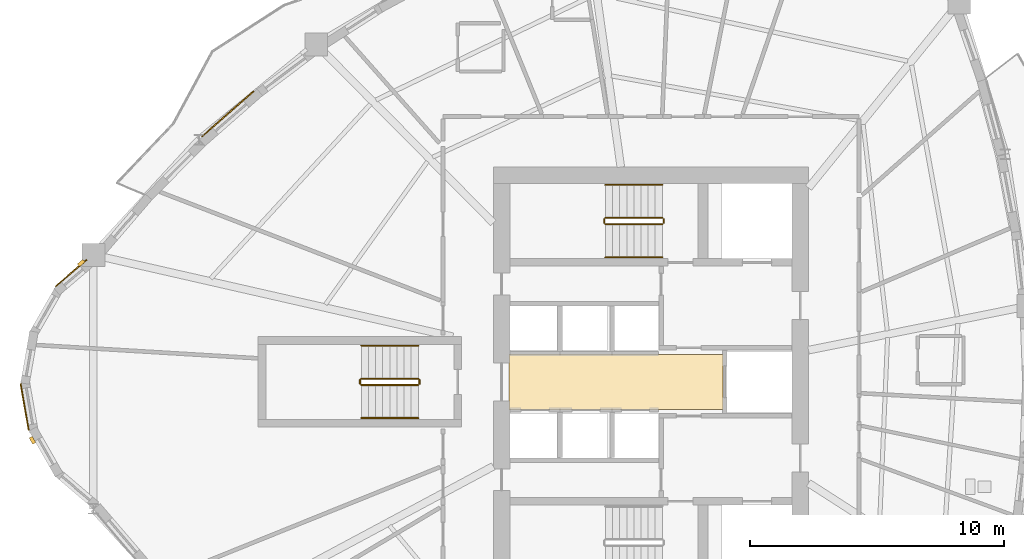
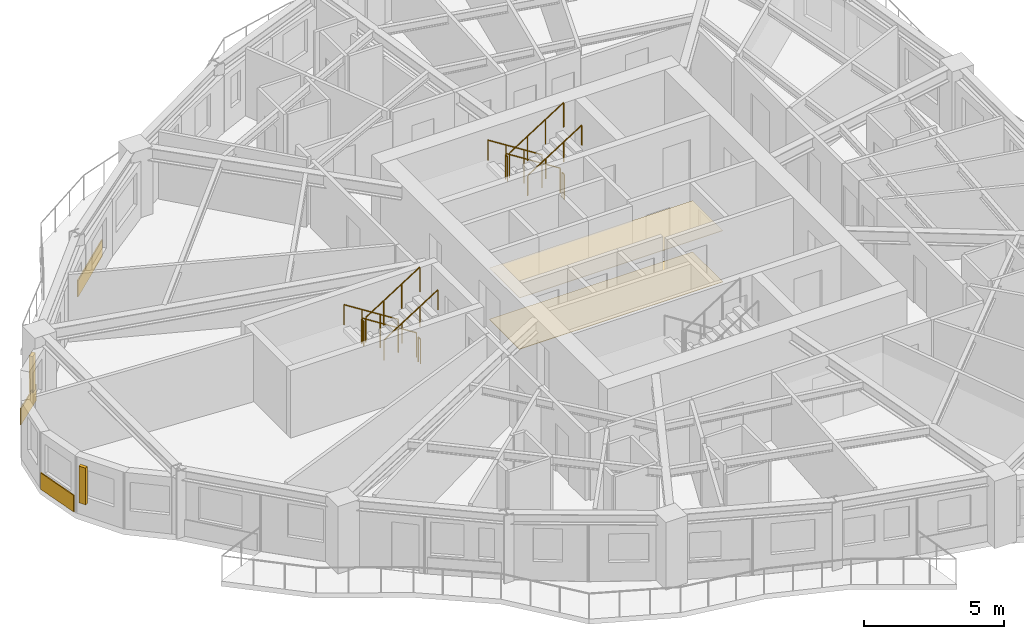
# One storey, part 11 of 13: 12 railings, 5 coverings, 2 shading devices.
"""IFC4 building model written with IfcOpenShell, lengths in metres."""

import ifcopenshell
import ifcopenshell.guid

model = None  # the IFC model being written
_history = None  # IfcOwnerHistory: only IFC2X3 demands one
_inside = {}  # id of a spatial element -> (the spatial element, [elements in it])
_under = {}  # id of a project, library or spatial element -> (it, [spatial elements below it])
_declared = {}  # id of a project -> (the project, [libraries it declares])
_typed = {}  # id of a type object -> (the type object, [elements of that type])
_made_of = {}  # id of a material, layer set ... -> (it, [elements and type objects made of it])


def new_model(schema):
    """Start an empty IFC model of exactly this schema.

    Asked for "IFC4X3", IfcOpenShell would pick the latest addendum, in which some entities
    have other attributes; the version numbers below select the first issue.
    IFC2X3 requires an IfcOwnerHistory on every rooted entity: one is made here for all.
    """
    global model, _history
    if schema == "IFC4X3":
        model = ifcopenshell.file(schema_version=(4, 3, 0, 0))
    else:
        model = ifcopenshell.file(schema=schema)
    _inside.clear()
    _under.clear()
    _declared.clear()
    _typed.clear()
    _made_of.clear()
    _history = None
    if model.schema == "IFC2X3":
        org = make("IfcOrganization", Name="unknown")
        user = make(
            "IfcPersonAndOrganization",
            ThePerson=make("IfcPerson", FamilyName="unknown"),
            TheOrganization=org,
        )
        app = make(
            "IfcApplication",
            ApplicationDeveloper=org,
            Version="unknown",
            ApplicationFullName="unknown",
            ApplicationIdentifier="unknown",
        )
        _history = make(
            "IfcOwnerHistory",
            OwningUser=user,
            OwningApplication=app,
            ChangeAction="ADDED",
            CreationDate=0,
        )
    return model


def make(cls, **values):
    """One entity of the class cls with the attributes given. An attribute that is None is left unset."""
    return model.create_entity(
        cls, **{name: value for name, value in values.items() if value is not None}
    )


def rooted(cls, **values):
    """An entity with a GlobalId (a new one), such as an element, a storey or a relation."""
    return make(cls, GlobalId=ifcopenshell.guid.new(), OwnerHistory=_history, **values)


def si_unit(unit_type, name, prefix=None):
    """IfcSIUnit, for example si_unit("LENGTHUNIT", "METRE", prefix="MILLI")."""
    return make("IfcSIUnit", UnitType=unit_type, Prefix=prefix, Name=name)


def assignment(units):
    """IfcUnitAssignment: the units of a project."""
    return None if units is None else make("IfcUnitAssignment", Units=units)


def point(xyz):
    """IfcCartesianPoint."""
    return None if xyz is None else make("IfcCartesianPoint", Coordinates=xyz)


def direction(xyz):
    """IfcDirection."""
    return None if xyz is None else make("IfcDirection", DirectionRatios=xyz)


def frame(location, z_axis=None, x_axis=None):
    """IfcAxis2Placement3D, a coordinate frame: its origin and axes. An axis left out is left unset."""
    return make(
        "IfcAxis2Placement3D",
        Location=point(location),
        Axis=direction(z_axis),
        RefDirection=direction(x_axis),
    )


def frame_2d(location, x_axis=None):
    """IfcAxis2Placement2D, a coordinate frame in the plane: its origin and x axis."""
    return make(
        "IfcAxis2Placement2D", Location=point(location), RefDirection=direction(x_axis)
    )


def origin():
    """The frame at (0, 0, 0) with its axes left unset."""
    return frame((0.0, 0.0, 0.0))


def origin_2d():
    """The frame at (0, 0) in the plane with its x axis left unset."""
    return frame_2d((0.0, 0.0))


def place(relative_to, where):
    """IfcLocalPlacement: puts the frame where relative to a parent placement (None: the world)."""
    return make(
        "IfcLocalPlacement", PlacementRelTo=relative_to, RelativePlacement=where
    )


def context(
    kind, dimensions, precision=None, world=None, true_north=None, identifier=None
):
    """IfcGeometricRepresentationContext, for example the 3D "Model" context."""
    return make(
        "IfcGeometricRepresentationContext",
        ContextIdentifier=identifier,
        ContextType=kind,
        CoordinateSpaceDimension=dimensions,
        Precision=precision,
        WorldCoordinateSystem=world,
        TrueNorth=true_north,
    )


def subcontext(parent, identifier, kind, view, scale=None):
    """IfcGeometricRepresentationSubContext, for example "Body" below "Model"."""
    return make(
        "IfcGeometricRepresentationSubContext",
        ContextIdentifier=identifier,
        ContextType=kind,
        ParentContext=parent,
        TargetScale=scale,
        TargetView=view,
    )


def project(units=None, contexts=None):
    """IfcProject with its units and contexts."""
    return rooted(
        "IfcProject",
        Name="project",
        RepresentationContexts=contexts,
        UnitsInContext=assignment(units),
    )


def spatial(cls, under=None, at=None, **own):
    """A site, building, storey or space (cls), placed at a placement, below another one or the project."""
    s = rooted(cls, ObjectPlacement=at, **own)
    if under is not None:
        _under.setdefault(under.id(), (under, []))[1].append(s)
    return s


def polyline(points):
    """IfcPolyline through the points."""
    return make("IfcPolyline", Points=[point(p) for p in points])


def profile(cls, at=None, kind="AREA", **sizes):
    """A parametric profile (cls). Its sizes go by their IFC names, for example OverallWidth=200.0."""
    return make(cls, ProfileType=kind, Position=at, **sizes)


def rectangle(**sizes):
    """IfcRectangleProfileDef."""
    return profile("IfcRectangleProfileDef", **sizes)


def circle(**sizes):
    """IfcCircleProfileDef."""
    return profile("IfcCircleProfileDef", **sizes)


def outline(outer, holes=None, kind="AREA"):
    """IfcArbitraryClosedProfileDef: a profile drawn as a closed curve; with holes, ...WithVoids."""
    if holes is None:
        return make("IfcArbitraryClosedProfileDef", ProfileType=kind, OuterCurve=outer)
    return make(
        "IfcArbitraryProfileDefWithVoids",
        ProfileType=kind,
        OuterCurve=outer,
        InnerCurves=holes,
    )


def extrude(swept, where, along, depth):
    """IfcExtrudedAreaSolid: the profile swept, set in the frame where, extruded along a direction by depth."""
    return make(
        "IfcExtrudedAreaSolid",
        SweptArea=swept,
        Position=where,
        ExtrudedDirection=direction(along),
        Depth=depth,
    )


def shape(context_of_items, identifier, shape_type, items):
    """IfcShapeRepresentation: the items that make up one representation, for example the "Body"."""
    return make(
        "IfcShapeRepresentation",
        ContextOfItems=context_of_items,
        RepresentationIdentifier=identifier,
        RepresentationType=shape_type,
        Items=items,
    )


def source(mapping_origin, context_of_items, identifier, shape_type, items):
    """IfcRepresentationMap: a shape defined once, which mapped items show again and again."""
    return make(
        "IfcRepresentationMap",
        MappingOrigin=mapping_origin,
        MappedRepresentation=shape(context_of_items, identifier, shape_type, items),
    )


def transform(
    local_origin,
    x_axis=None,
    y_axis=None,
    z_axis=None,
    scale=None,
    scale2=None,
    scale3=None,
    uniform=True,
):
    """IfcCartesianTransformationOperator3D, or its non-uniform kind. x_axis, y_axis, z_axis: its Axis1, 2, 3."""
    if uniform:
        return make(
            "IfcCartesianTransformationOperator3D",
            Axis1=direction(x_axis),
            Axis2=direction(y_axis),
            LocalOrigin=point(local_origin),
            Scale=scale,
            Axis3=direction(z_axis),
        )
    return make(
        "IfcCartesianTransformationOperator3DnonUniform",
        Axis1=direction(x_axis),
        Axis2=direction(y_axis),
        LocalOrigin=point(local_origin),
        Scale=scale,
        Axis3=direction(z_axis),
        Scale2=scale2,
        Scale3=scale3,
    )


def mapped(mapping_source, mapping_target):
    """IfcMappedItem: shows the shape of a source again, moved by a transform."""
    return make(
        "IfcMappedItem", MappingSource=mapping_source, MappingTarget=mapping_target
    )


def material(Name=None, Category=None):
    """IfcMaterial."""
    return make("IfcMaterial", Name=Name, Category=Category)


def layer(
    of_material, thickness, ventilated=None, Name=None, Category=None, Priority=None
):
    """IfcMaterialLayer: one layer of a wall or slab, of a material (None: an air gap)."""
    return make(
        "IfcMaterialLayer",
        Material=of_material,
        LayerThickness=thickness,
        IsVentilated=ventilated,
        Name=Name,
        Category=Category,
        Priority=Priority,
    )


def layer_set(layers, Name=None):
    """IfcMaterialLayerSet."""
    return make("IfcMaterialLayerSet", MaterialLayers=layers, LayerSetName=Name)


def made_of(thing, what):
    """Note that an element or type object is made of a material, layer set ...; save() writes the relation."""
    if what is not None:
        _made_of.setdefault(what.id(), (what, []))[1].append(thing)
    return thing


def type_object(cls, material=None, **own):
    """A type object (cls), such as IfcWallType, which elements share."""
    return made_of(rooted(cls, **own), material)


def element(
    cls,
    number,
    at=None,
    inside=None,
    cuts=None,
    type_object=None,
    material=None,
    context=None,
    identifier="Body",
    shape_type=None,
    held_by="IfcProductDefinitionShape",
    body=None,
    shapes=None,
    **own,
):
    """One element of the class cls, such as IfcWall. Its Tag is "e" and its number.

    at: its placement. inside: the storey or other place that contains it. cuts: it is an
    opening in that element (IfcRelVoidsElement). A single representation is given by context,
    identifier, shape_type and body (its items); several are given by shapes. held_by: the class
    of the entity that holds the representations. save() writes the other relations.
    """
    e = rooted(cls, Tag="e%d" % number, ObjectPlacement=at, **own)
    if body is not None:
        shapes = [shape(context, identifier, shape_type, body)]
    if shapes is not None:
        e.Representation = make(held_by, Representations=shapes)
    if inside is not None:
        _inside.setdefault(inside.id(), (inside, []))[1].append(e)
    if cuts is not None:
        rooted(
            "IfcRelVoidsElement", RelatingBuildingElement=cuts, RelatedOpeningElement=e
        )
    if type_object is not None:
        _typed.setdefault(type_object.id(), (type_object, []))[1].append(e)
    return made_of(e, material)


def aggregate(whole, parts):
    """IfcRelAggregates: a whole, such as a stair, and the parts it consists of."""
    return rooted("IfcRelAggregates", RelatingObject=whole, RelatedObjects=parts)


def save(model, path):
    """Write the relations noted so far, then the file.

    IfcRelAggregates (storeys below a building ...), IfcRelContainedInSpatialStructure (elements
    in a storey), IfcRelDefinesByType, IfcRelAssociatesMaterial and IfcRelDeclares: one each for
    every whole, place, type object, material and project.
    """
    for whole, parts in _under.values():
        aggregate(whole, parts)
    for where, things in _inside.values():
        rooted(
            "IfcRelContainedInSpatialStructure",
            RelatedElements=things,
            RelatingStructure=where,
        )
    for kind, things in _typed.values():
        rooted("IfcRelDefinesByType", RelatedObjects=things, RelatingType=kind)
    for what, things in _made_of.values():
        rooted("IfcRelAssociatesMaterial", RelatedObjects=things, RelatingMaterial=what)
    for by, libraries in _declared.values():
        rooted("IfcRelDeclares", RelatingContext=by, RelatedDefinitions=libraries)
    model.write(path)


model = new_model("IFC4")

# Units and contexts
model_context = context("Model", 3, precision=1e-05, world=origin(), true_north=direction((0.0, 1.0)))
body_context = subcontext(model_context, "Body", "Model", "MODEL_VIEW")
ifc_project = project(units=[si_unit("LENGTHUNIT", "METRE"), si_unit("AREAUNIT", "SQUARE_METRE"), si_unit("VOLUMEUNIT", "CUBIC_METRE"), si_unit("PLANEANGLEUNIT", "RADIAN"), si_unit("MASSUNIT", "GRAM", prefix="KILO")], contexts=[model_context])

# Site, building, storey
site_placement = place(None, origin())
site = spatial("IfcSite", under=ifc_project, at=site_placement, CompositionType="ELEMENT")
building_placement = place(site_placement, origin())
building = spatial("IfcBuilding", under=site, at=building_placement, Name="Qafzar Sky-Pleat Residences", CompositionType="ELEMENT")
storey_placement = place(building_placement, frame((0.0, 0.0, 99.199951171875)))
storey = spatial("IfcBuildingStorey", under=building, at=storey_placement, Name="L29", CompositionType="ELEMENT", Elevation=99.199951171875)

# Coverings
ifc_material_1 = material(Name="Perforated acoustic gypsum board ceiling")
ifc_layer_1 = layer(ifc_material_1, 0.02001953125)
ifc_layer_set_1 = layer_set([ifc_layer_1], Name="Perforated acoustic gypsum board ceiling")
covering_type_1 = type_object("IfcCoveringType", Name="COV-CEIL-ACOUSTIC", PredefinedType="CEILING", material=ifc_layer_set_1)
covering_1_placement = place(storey_placement, frame((0.0, 0.0, 2.239990234375)))
element("IfcCovering", 1, at=covering_1_placement, inside=storey, type_object=covering_type_1, Name="L29 Passenger Lift Lobby Acoustic Ceiling", PredefinedType="CEILING", context=body_context, shape_type="SweptSolid", body=[
    extrude(outline(polyline([(33.179931640625, 24.919921875), (24.77001953125, 24.919921875), (24.77001953125, 27.080078125), (33.179931640625, 27.080078125), (33.179931640625, 24.919921875)])), origin(), (0.0, 0.0, 1.0), 0.02001953125),
])
ifc_material_2 = material(Name="Honed porcelain and Riyadh stone tile flooring", Category="masonry")
ifc_layer_2 = layer(ifc_material_2, 0.02001953125)
ifc_layer_set_2 = layer_set([ifc_layer_2], Name="Honed porcelain and Riyadh stone tile flooring")
covering_type_2 = type_object("IfcCoveringType", Name="COV-FLR-PORCELAIN", PredefinedType="FLOORING", material=ifc_layer_set_2)
covering_2_placement = place(storey_placement, origin())
element("IfcCovering", 2, at=covering_2_placement, inside=storey, type_object=covering_type_2, Name="L29 Passenger Lift Lobby Honed Stone Flooring", PredefinedType="FLOORING", context=body_context, shape_type="SweptSolid", body=[
    extrude(outline(polyline([(33.179931640625, 24.919921875), (24.77001953125, 24.919921875), (24.77001953125, 27.080078125), (33.179931640625, 27.080078125), (33.179931640625, 24.919921875)])), origin(), (0.0, 0.0, 1.0), 0.02001953125),
])

# Shading devices
ifc_material_3 = material(Name="Honed Riyadh limestone solar fin", Category="masonry")
ifc_layer_3 = layer(ifc_material_3, 0.139892578125)
ifc_layer_set_3 = layer_set([ifc_layer_3], Name="Honed Riyadh limestone solar fin")
shading_device_type = type_object("IfcShadingDeviceType", Name="SHD-FIN-STONE", PredefinedType="SHUTTER", material=ifc_layer_set_3)
shared_shape_1 = source(origin(), body_context, "Body", "SweptSolid", [
    extrude(rectangle(XDim=0.139892578125, YDim=0.280029296875, at=origin_2d()), origin(), (0.0, 0.0, 1.0), 1.60009765625),
])
for number, where, z_axis, x_axis, name in (
    (3, (7.941650390625, 30.67431640625, 0.60009765625), (0.0, 0.0, 1.0), (-0.648602943999, 0.761126941473, 0.0), "L29 Limestone Solar Fin 1"),
    (4, (6.02294921875, 23.702392578125, 0.60009765625), (0.0, 0.0, 1.0), (-0.868298604268, -0.49604186701, 0.0), "L29 Limestone Solar Fin 5"),
):
    element("IfcShadingDevice", number, at=place(storey_placement, frame(where, z_axis=z_axis, x_axis=x_axis)), inside=storey, type_object=shading_device_type, Name=name, PredefinedType="SHUTTER", context=body_context, shape_type="MappedRepresentation", body=[
        mapped(shared_shape_1, transform((0.0, 0.0, 0.0), x_axis=(1.0, 0.0, 0.0), y_axis=(0.0, 1.0, 0.0), z_axis=(0.0, 0.0, 1.0), scale=1.0)),
    ])

# Coverings
ifc_material_4 = material(Name="Honed Riyadh Tuwaiq limestone cladding", Category="masonry")
ifc_layer_4 = layer(ifc_material_4, 0.044921875)
ifc_layer_set_4 = layer_set([ifc_layer_4], Name="Honed Riyadh Tuwaiq limestone cladding")
covering_type_3 = type_object("IfcCoveringType", Name="COV-CLAD-STONE", PredefinedType="CLADDING", material=ifc_layer_set_4)
shared_shape_2 = source(origin(), body_context, "Body", "SweptSolid", [
    extrude(rectangle(XDim=1.62451171875, YDim=0.044921875, at=origin_2d()), origin(), (0.0, 0.0, 1.0), 0.719970703125),
])
covering_3_placement = place(storey_placement, frame((7.543212890625, 30.278564453125, 0.02001953125), z_axis=(0.0, 0.0, 1.0), x_axis=(-0.761154082005, -0.648571093595, 0.0)))
element("IfcCovering", 5, at=covering_3_placement, inside=storey, type_object=covering_type_3, Name="L29 Riyadh Limestone Spandrel Cladding 1", PredefinedType="CLADDING", context=body_context, shape_type="MappedRepresentation", body=[
    mapped(shared_shape_2, transform((0.0, 0.0, 0.0), x_axis=(1.0, 0.0, 0.0), y_axis=(0.0, 1.0, 0.0), z_axis=(0.0, 0.0, 1.0), scale=1.0)),
])
shared_shape_3 = source(origin(), body_context, "Body", "SweptSolid", [
    extrude(rectangle(XDim=1.865478515625, YDim=0.044921875, at=origin_2d()), origin(), (0.0, 0.0, 1.0), 0.719970703125),
])
covering_4_placement = place(storey_placement, frame((5.71533203125, 25.0126953125, 0.02001953125), z_axis=(0.0, 0.0, 1.0), x_axis=(0.172169696941, -0.985067305038, 0.0)))
element("IfcCovering", 6, at=covering_4_placement, inside=storey, type_object=covering_type_3, Name="L29 Riyadh Limestone Spandrel Cladding 4", PredefinedType="CLADDING", context=body_context, shape_type="MappedRepresentation", body=[
    mapped(shared_shape_3, transform((0.0, 0.0, 0.0), x_axis=(1.0, 0.0, 0.0), y_axis=(0.0, 1.0, 0.0), z_axis=(0.0, 0.0, 1.0), scale=1.0)),
])
shared_shape_4 = source(origin(), body_context, "Body", "SweptSolid", [
    extrude(rectangle(XDim=2.7080078125, YDim=0.044921875, at=origin_2d()), origin(), (0.0, 0.0, 1.0), 0.719970703125),
])
covering_5_placement = place(storey_placement, frame((13.705810546875, 36.542236328125, 0.02001953125), z_axis=(0.0, 0.0, 1.0), x_axis=(-0.75148242347, -0.659753110804, 0.0)))
element("IfcCovering", 7, at=covering_5_placement, inside=storey, type_object=covering_type_3, Name="L29 Riyadh Limestone Spandrel Cladding 46", PredefinedType="CLADDING", context=body_context, shape_type="MappedRepresentation", body=[
    mapped(shared_shape_4, transform((0.0, 0.0, 0.0), x_axis=(1.0, 0.0, 0.0), y_axis=(0.0, 1.0, 0.0), z_axis=(0.0, 0.0, 1.0), scale=1.0)),
])

# Railings
ifc_material_5 = material(Name="Painted Steel S355 stair guardrail", Category="steel")
railing_type_1 = type_object("IfcRailingType", Name="RAIL-STAIR-GUARD", PredefinedType="GUARDRAIL", material=ifc_material_5)
shared_shape_5 = source(origin(), body_context, "Body", "SweptSolid", [
    extrude(circle(Radius=0.02392578125, at=origin_2d()), frame((0.0, 0.0, 1.076171875), z_axis=(0.0, -1.0, 0.0), x_axis=(1.0, 0.0, 0.0)), (0.0, 0.0, 1.0), 0.14990234375),
    extrude(circle(Radius=0.02099609375, at=origin_2d()), origin(), (0.0, 0.0, 1.0), 1.052001953125),
    extrude(circle(Radius=0.02099609375, at=origin_2d()), frame((0.0, -0.14990234375, 0.0)), (0.0, 0.0, 1.0), 1.052001953125),
])
for number, where, name in (
    (8, (28.510009765625, 32.39990234375, 1.60009765625), "L29 ST2 stair guard 2"),
    (9, (30.85009765625, 32.39990234375, 0.0), "L29 ST2 stair guard 4"),
    (10, (18.909912109375, 26.074951171875, 1.60009765625), "L29 ST3 stair guard 2"),
    (11, (21.25, 26.074951171875, 0.0), "L29 ST3 stair guard 4"),
):
    element("IfcRailing", number, at=place(storey_placement, frame(where)), inside=storey, type_object=railing_type_1, Name=name, PredefinedType="GUARDRAIL", context=body_context, shape_type="MappedRepresentation", body=[
        mapped(shared_shape_5, transform((0.0, 0.0, 0.0), x_axis=(1.0, 0.0, 0.0), y_axis=(0.0, 1.0, 0.0), z_axis=(0.0, 0.0, 1.0), scale=1.0)),
    ])
shared_shape_6 = source(origin(), body_context, "Body", "SweptSolid", [
    extrude(circle(Radius=0.02392578125, at=origin_2d()), frame((0.0, 0.0, 1.076171875), z_axis=(0.8442293374, 0.0, 0.53598211339), x_axis=(0.0, 1.0, 0.0)), (0.0, 0.0, 1.0), 2.6533203125),
    extrude(circle(Radius=0.02099609375, at=origin_2d()), origin(), (0.0, 0.0, 1.0), 1.052001953125),
    extrude(circle(Radius=0.02099609375, at=origin_2d()), frame((0.74658203125, 0.0, 0.47412109375)), (0.0, 0.0, 1.0), 1.052001953125),
    extrude(circle(Radius=0.02099609375, at=origin_2d()), frame((1.493408203125, 0.0, 0.947998046875)), (0.0, 0.0, 1.0), 1.052001953125),
    extrude(circle(Radius=0.02099609375, at=origin_2d()), frame((2.239990234375, 0.0, 1.422119140625)), (0.0, 0.0, 1.0), 1.052001953125),
])
for number, where, name in (
    (12, (28.56005859375, 32.199951171875, 1.77783203125), "L29 ST2 stair guard 3"),
    (13, (18.9599609375, 25.875, 1.77783203125), "L29 ST3 stair guard 3"),
):
    element("IfcRailing", number, at=place(storey_placement, frame(where)), inside=storey, type_object=railing_type_1, Name=name, PredefinedType="GUARDRAIL", context=body_context, shape_type="MappedRepresentation", body=[
        mapped(shared_shape_6, transform((0.0, 0.0, 0.0), x_axis=(1.0, 0.0, 0.0), y_axis=(0.0, 1.0, 0.0), z_axis=(0.0, 0.0, 1.0), scale=1.0)),
    ])
ifc_material_6 = material(Name="Brushed stainless steel handrail", Category="steel")
railing_type_2 = type_object("IfcRailingType", Name="RAIL-STAIR-HAND", PredefinedType="HANDRAIL", material=ifc_material_6)
shared_shape_7 = source(origin(), body_context, "Body", "SweptSolid", [
    extrude(circle(Radius=0.02392578125, at=origin_2d()), frame((0.0, 0.0, 0.8759765625), z_axis=(0.8442293374, 0.0, 0.53598211339), x_axis=(0.0, 1.0, 0.0)), (0.0, 0.0, 1.0), 2.6533203125),
    extrude(circle(Radius=0.02099609375, at=origin_2d()), origin(), (0.0, 0.0, 1.0), 0.851806640625),
    extrude(circle(Radius=0.02099609375, at=origin_2d()), frame((0.74658203125, 0.0, 0.47412109375)), (0.0, 0.0, 1.0), 0.851806640625),
    extrude(circle(Radius=0.02099609375, at=origin_2d()), frame((1.493408203125, 0.0, 0.947998046875)), (0.0, 0.0, 1.0), 0.851806640625),
    extrude(circle(Radius=0.02099609375, at=origin_2d()), frame((2.239990234375, 0.0, 1.422119140625)), (0.0, 0.0, 1.0), 0.851806640625),
])
for number, where, name in (
    (14, (28.56005859375, 30.89990234375, 1.77783203125), "L29 ST2 stair handrail 2"),
    (15, (18.9599609375, 24.574951171875, 1.77783203125), "L29 ST3 stair handrail 2"),
):
    element("IfcRailing", number, at=place(storey_placement, frame(where)), inside=storey, type_object=railing_type_2, Name=name, PredefinedType="HANDRAIL", context=body_context, shape_type="MappedRepresentation", body=[
        mapped(shared_shape_7, transform((0.0, 0.0, 0.0), x_axis=(1.0, 0.0, 0.0), y_axis=(0.0, 1.0, 0.0), z_axis=(0.0, 0.0, 1.0), scale=1.0)),
    ])
shared_shape_8 = source(origin(), body_context, "Body", "SweptSolid", [
    extrude(circle(Radius=0.02392578125, at=origin_2d()), frame((0.0, 0.0, 1.076171875), z_axis=(-0.84418770128, 0.0, 0.536047689118), x_axis=(0.0, -1.0, 0.0)), (0.0, 0.0, 1.0), 2.6533203125),
    extrude(circle(Radius=0.02099609375, at=origin_2d()), origin(), (0.0, 0.0, 1.0), 1.052001953125),
    extrude(circle(Radius=0.02099609375, at=origin_2d()), frame((-0.74658203125, 0.0, 0.47412109375)), (0.0, 0.0, 1.0), 1.052001953125),
    extrude(circle(Radius=0.02099609375, at=origin_2d()), frame((-1.493408203125, 0.0, 0.9482421875)), (0.0, 0.0, 1.0), 1.052001953125),
    extrude(circle(Radius=0.02099609375, at=origin_2d()), frame((-2.239990234375, 0.0, 1.42236328125)), (0.0, 0.0, 1.0), 1.052001953125),
])
for number, where, name in (
    (16, (30.800048828125, 32.449951171875, 0.177734375), "L29 ST2 stair guard 1"),
    (17, (21.199951171875, 26.125, 0.177734375), "L29 ST3 stair guard 1"),
):
    element("IfcRailing", number, at=place(storey_placement, frame(where)), inside=storey, type_object=railing_type_1, Name=name, PredefinedType="GUARDRAIL", context=body_context, shape_type="MappedRepresentation", body=[
        mapped(shared_shape_8, transform((0.0, 0.0, 0.0), x_axis=(1.0, 0.0, 0.0), y_axis=(0.0, 1.0, 0.0), z_axis=(0.0, 0.0, 1.0), scale=1.0)),
    ])
shared_shape_9 = source(origin(), body_context, "Body", "SweptSolid", [
    extrude(circle(Radius=0.02392578125, at=origin_2d()), frame((0.0, 0.0, 0.8759765625), z_axis=(-0.84418770128, 0.0, 0.536047689118), x_axis=(0.0, -1.0, 0.0)), (0.0, 0.0, 1.0), 2.6533203125),
    extrude(circle(Radius=0.02099609375, at=origin_2d()), origin(), (0.0, 0.0, 1.0), 0.851806640625),
    extrude(circle(Radius=0.02099609375, at=origin_2d()), frame((-0.74658203125, 0.0, 0.47412109375)), (0.0, 0.0, 1.0), 0.851806640625),
    extrude(circle(Radius=0.02099609375, at=origin_2d()), frame((-1.493408203125, 0.0, 0.9482421875)), (0.0, 0.0, 1.0), 0.851806640625),
    extrude(circle(Radius=0.02099609375, at=origin_2d()), frame((-2.239990234375, 0.0, 1.42236328125)), (0.0, 0.0, 1.0), 0.851806640625),
])
for number, where, name in (
    (18, (30.800048828125, 33.75, 0.177734375), "L29 ST2 stair handrail 1"),
    (19, (21.199951171875, 27.425048828125, 0.177734375), "L29 ST3 stair handrail 1"),
):
    element("IfcRailing", number, at=place(storey_placement, frame(where)), inside=storey, type_object=railing_type_2, Name=name, PredefinedType="HANDRAIL", context=body_context, shape_type="MappedRepresentation", body=[
        mapped(shared_shape_9, transform((0.0, 0.0, 0.0), x_axis=(1.0, 0.0, 0.0), y_axis=(0.0, 1.0, 0.0), z_axis=(0.0, 0.0, 1.0), scale=1.0)),
    ])

save(model, "model.ifc")
